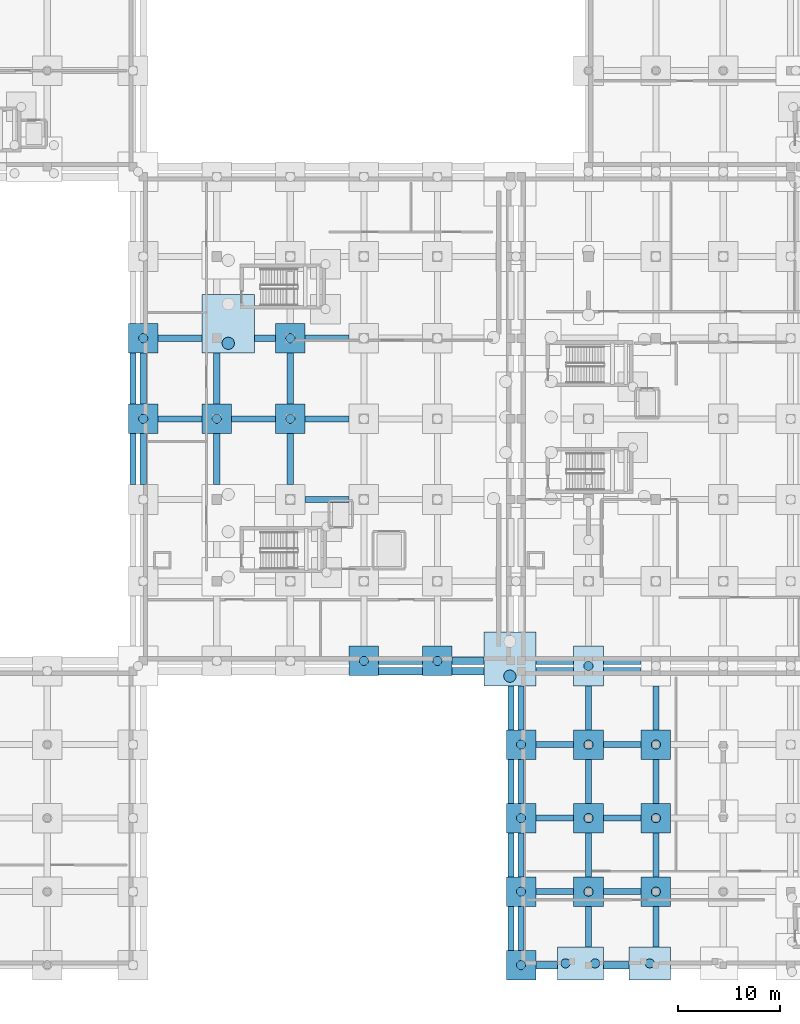
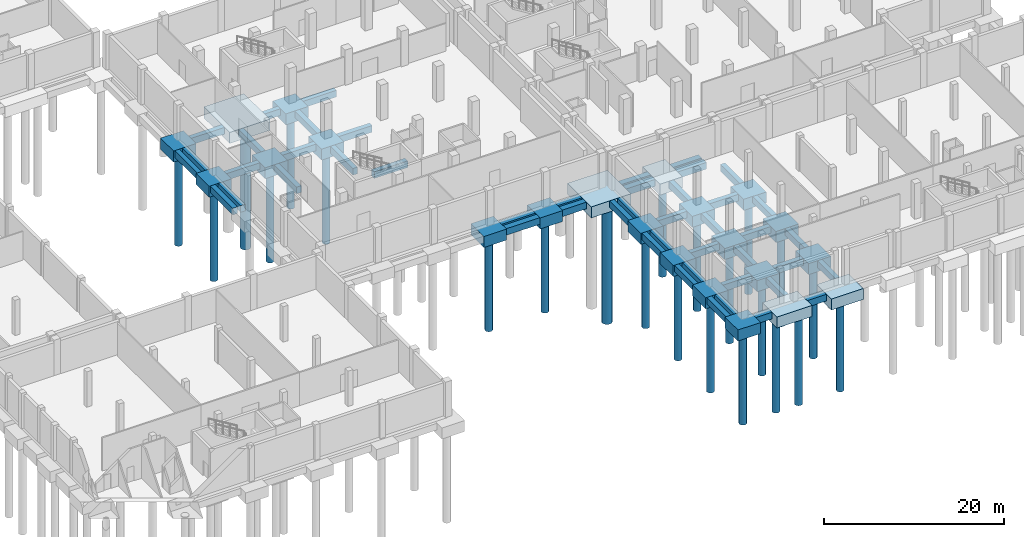
# One storey, part 3 of 29: 69 footings, 23 piles.
"""IFC4 building model written with IfcOpenShell, lengths in metres."""

from ifc_helpers import new_model, si_unit, direction, frame, origin, origin_2d, place, context, subcontext, project, spatial, polyline, rectangle, circle, outline, extrude, material, material_profile, profile_set, type_object, element, save


model = new_model("IFC4")

# Units and contexts
model_context = context("Model", 3, precision=1e-05, world=origin(), true_north=direction((0.0, 1.0)))
body_context = subcontext(model_context, "Body", "Model", "MODEL_VIEW")
ifc_project = project(units=[si_unit("LENGTHUNIT", "METRE"), si_unit("AREAUNIT", "SQUARE_METRE"), si_unit("VOLUMEUNIT", "CUBIC_METRE"), si_unit("PLANEANGLEUNIT", "RADIAN"), si_unit("MASSUNIT", "GRAM", prefix="KILO")], contexts=[model_context])

# Site, building, storey
site_placement = place(None, origin())
site = spatial("IfcSite", under=ifc_project, at=site_placement, CompositionType="ELEMENT")
building_placement = place(site_placement, origin())
building = spatial("IfcBuilding", under=site, at=building_placement, Name="Kelarvand Opera House", CompositionType="ELEMENT")
storey_placement = place(building_placement, frame((0.0, 0.0, -9.60009765625)))
storey = spatial("IfcBuildingStorey", under=building, at=storey_placement, Name="B2", CompositionType="ELEMENT", Elevation=-9.60009765625)

# Piles
ifc_material = material(Name="Concrete C40/50", Category="concrete")
ifc_material_profile_1 = material_profile(ifc_material, circle(Radius=0.60009765625, at=origin_2d()), Name="BP 1200", Category="concrete")
ifc_profile_set_1 = profile_set([ifc_material_profile_1], Name="Concrete C40/50")
pile_type_1 = type_object("IfcPileType", Name="Bored Pile 1200 Concrete C40/50", PredefinedType="BORED", material=ifc_profile_set_1)
for number, where, z_axis, x_axis, name in (
    (1, (87.89990234375, 37.300048828125, -1.7998046875), (0.0, 0.0, -1.0), (1.0, 0.0, 0.0), "V1 Bored Pile 97"),
    (2, (60.324951171875, 69.89990234375, -1.7998046875), (0.0, 0.0, -1.0), (1.0, 0.0, 0.0), "V2 Bored Pile 184"),
):
    element("IfcPile", number, at=place(storey_placement, frame(where, z_axis=z_axis, x_axis=x_axis)), inside=storey, type_object=pile_type_1, Name=name, PredefinedType="BORED", context=body_context, shape_type="SweptSolid", body=[
        extrude(circle(Radius=0.60009765625, at=origin_2d()), origin(), (0.0, 0.0, 1.0), 15.60009765625),
    ])
ifc_material_profile_2 = material_profile(ifc_material, circle(Radius=0.449951171875, at=origin_2d()), Name="BP 900", Category="concrete")
ifc_profile_set_2 = profile_set([ifc_material_profile_2], Name="Concrete C40/50")
pile_type_2 = type_object("IfcPileType", Name="Bored Pile 900 Concrete C40/50", PredefinedType="BORED", material=ifc_profile_set_2)
for number, where, z_axis, x_axis, name in (
    (3, (89.0, 9.0, -1.7998046875), (0.0, 0.0, -1.0), (1.0, 0.0, 0.0), "V6 Bored Pile 7"),
    (4, (93.35009765625, 9.175048828125, -1.7998046875), (0.0, 0.0, -1.0), (1.0, 0.0, 0.0), "V6 Bored Pile 8"),
    (5, (96.25, 9.175048828125, -1.7998046875), (0.0, 0.0, -1.0), (1.0, 0.0, 0.0), "V6 Bored Pile 9"),
    (6, (101.60009765625, 9.175048828125, -1.7998046875), (0.0, 0.0, -1.0), (1.0, 0.0, 0.0), "V6 Bored Pile 10"),
    (7, (89.0, 16.199951171875, -1.7998046875), (0.0, 0.0, -1.0), (1.0, 0.0, 0.0), "V6 Bored Pile 39"),
    (8, (95.60009765625, 16.199951171875, -1.7998046875), (0.0, 0.0, -1.0), (1.0, 0.0, 0.0), "V6 Bored Pile 40"),
    (9, (102.199951171875, 16.199951171875, -1.7998046875), (0.0, 0.0, -1.0), (1.0, 0.0, 0.0), "V6 Bored Pile 41"),
    (10, (89.0, 23.39990234375, -1.7998046875), (0.0, 0.0, -1.0), (1.0, 0.0, 0.0), "V6 Bored Pile 57"),
    (11, (95.60009765625, 23.39990234375, -1.7998046875), (0.0, 0.0, -1.0), (1.0, 0.0, 0.0), "V6 Bored Pile 58"),
    (12, (102.199951171875, 23.39990234375, -1.7998046875), (0.0, 0.0, -1.0), (1.0, 0.0, 0.0), "V6 Bored Pile 59"),
    (13, (89.0, 30.60009765625, -1.7998046875), (0.0, 0.0, -1.0), (1.0, 0.0, 0.0), "V6 Bored Pile 78"),
    (14, (95.60009765625, 30.60009765625, -1.7998046875), (0.0, 0.0, -1.0), (1.0, 0.0, 0.0), "V6 Bored Pile 79"),
    (15, (102.199951171875, 30.60009765625, -1.7998046875), (0.0, 0.0, -1.0), (1.0, 0.0, 0.0), "V6 Bored Pile 80"),
    (16, (95.60009765625, 38.300048828125, -1.7998046875), (0.0, 0.0, -1.0), (1.0, 0.0, 0.0), "V1 Bored Pile 99"),
    (17, (73.60009765625, 38.800048828125, -1.7998046875), (0.0, 0.0, -1.0), (1.0, 0.0, 0.0), "V2 Bored Pile 113"),
    (18, (80.800048828125, 38.800048828125, -1.7998046875), (0.0, 0.0, -1.0), (1.0, 0.0, 0.0), "V2 Bored Pile 114"),
    (19, (52.0, 62.5, -1.7998046875), (0.0, 0.0, -1.0), (1.0, 0.0, 0.0), "V2 Bored Pile 164"),
    (20, (59.199951171875, 62.5, -1.7998046875), (0.0, 0.0, -1.0), (1.0, 0.0, 0.0), "V2 Bored Pile 165"),
    (21, (66.39990234375, 62.5, -1.7998046875), (0.0, 0.0, -1.0), (1.0, 0.0, 0.0), "V2 Bored Pile 166"),
    (22, (52.0, 70.39990234375, -1.7998046875), (0.0, 0.0, -1.0), (1.0, 0.0, 0.0), "V2 Bored Pile 183"),
    (23, (66.39990234375, 70.39990234375, -1.7998046875), (0.0, 0.0, -1.0), (1.0, 0.0, 0.0), "V2 Bored Pile 186"),
):
    element("IfcPile", number, at=place(storey_placement, frame(where, z_axis=z_axis, x_axis=x_axis)), inside=storey, type_object=pile_type_2, Name=name, PredefinedType="BORED", context=body_context, shape_type="SweptSolid", body=[
        extrude(circle(Radius=0.449951171875, at=origin_2d()), origin(), (0.0, 0.0, 1.0), 12.60009765625),
    ])

# Footings
footing_type_1 = type_object("IfcFootingType", Name="Ground Tie Beam 600x900 Concrete C40/50", PredefinedType="FOOTING_BEAM", material=ifc_material)
footing_1_placement = place(storey_placement, frame((0.0, 0.0, -1.2998046875)))
element("IfcFooting", 24, at=footing_1_placement, inside=storey, type_object=footing_type_1, Name="Ground Beam 23", PredefinedType="FOOTING_BEAM", context=body_context, shape_type="SweptSolid", body=[
    extrude(outline(polyline([(90.449951171875, 15.89990234375), (94.14990234375, 15.89990234375), (94.14990234375, 16.5), (90.449951171875, 16.5), (90.449951171875, 15.89990234375)])), origin(), (0.0, 0.0, 1.0), 0.89990234375),
])
footing_2_placement = place(storey_placement, frame((0.0, 0.0, -1.2998046875)))
element("IfcFooting", 25, at=footing_2_placement, inside=storey, type_object=footing_type_1, Name="Ground Beam 24", PredefinedType="FOOTING_BEAM", context=body_context, shape_type="SweptSolid", body=[
    extrude(outline(polyline([(97.050048828125, 15.89990234375), (100.75, 15.89990234375), (100.75, 16.5), (97.050048828125, 16.5), (97.050048828125, 15.89990234375)])), origin(), (0.0, 0.0, 1.0), 0.89990234375),
])
footing_3_placement = place(storey_placement, frame((0.0, 0.0, -1.2998046875)))
element("IfcFooting", 26, at=footing_3_placement, inside=storey, type_object=footing_type_1, Name="Ground Beam 40", PredefinedType="FOOTING_BEAM", context=body_context, shape_type="SweptSolid", body=[
    extrude(outline(polyline([(90.449951171875, 23.10009765625), (94.14990234375, 23.10009765625), (94.14990234375, 23.699951171875), (90.449951171875, 23.699951171875), (90.449951171875, 23.10009765625)])), origin(), (0.0, 0.0, 1.0), 0.89990234375),
])
footing_4_placement = place(storey_placement, frame((0.0, 0.0, -1.2998046875)))
element("IfcFooting", 27, at=footing_4_placement, inside=storey, type_object=footing_type_1, Name="Ground Beam 41", PredefinedType="FOOTING_BEAM", context=body_context, shape_type="SweptSolid", body=[
    extrude(outline(polyline([(97.050048828125, 23.10009765625), (100.75, 23.10009765625), (100.75, 23.699951171875), (97.050048828125, 23.699951171875), (97.050048828125, 23.10009765625)])), origin(), (0.0, 0.0, 1.0), 0.89990234375),
])
footing_5_placement = place(storey_placement, frame((0.0, 0.0, -1.2998046875)))
element("IfcFooting", 28, at=footing_5_placement, inside=storey, type_object=footing_type_1, Name="Ground Beam 57", PredefinedType="FOOTING_BEAM", context=body_context, shape_type="SweptSolid", body=[
    extrude(outline(polyline([(90.449951171875, 30.300048828125), (94.14990234375, 30.300048828125), (94.14990234375, 30.89990234375), (90.449951171875, 30.89990234375), (90.449951171875, 30.300048828125)])), origin(), (0.0, 0.0, 1.0), 0.89990234375),
])
footing_6_placement = place(storey_placement, frame((0.0, 0.0, -1.2998046875)))
element("IfcFooting", 29, at=footing_6_placement, inside=storey, type_object=footing_type_1, Name="Ground Beam 58", PredefinedType="FOOTING_BEAM", context=body_context, shape_type="SweptSolid", body=[
    extrude(outline(polyline([(97.050048828125, 30.300048828125), (100.75, 30.300048828125), (100.75, 30.89990234375), (97.050048828125, 30.89990234375), (97.050048828125, 30.300048828125)])), origin(), (0.0, 0.0, 1.0), 0.89990234375),
])
footing_7_placement = place(storey_placement, frame((0.0, 0.0, -1.2998046875)))
element("IfcFooting", 30, at=footing_7_placement, inside=storey, type_object=footing_type_1, Name="Ground Beam 131", PredefinedType="FOOTING_BEAM", context=body_context, shape_type="SweptSolid", body=[
    extrude(outline(polyline([(67.85009765625, 54.300048828125), (72.14990234375, 54.300048828125), (72.14990234375, 54.89990234375), (67.85009765625, 54.89990234375), (67.85009765625, 54.300048828125)])), origin(), (0.0, 0.0, 1.0), 0.89990234375),
])
footing_8_placement = place(storey_placement, frame((0.0, 0.0, -1.2998046875)))
element("IfcFooting", 31, at=footing_8_placement, inside=storey, type_object=footing_type_1, Name="Ground Beam 144", PredefinedType="FOOTING_BEAM", context=body_context, shape_type="SweptSolid", body=[
    extrude(outline(polyline([(53.449951171875, 62.199951171875), (57.75, 62.199951171875), (57.75, 62.800048828125), (53.449951171875, 62.800048828125), (53.449951171875, 62.199951171875)])), origin(), (0.0, 0.0, 1.0), 0.89990234375),
])
footing_9_placement = place(storey_placement, frame((0.0, 0.0, -1.2998046875)))
element("IfcFooting", 32, at=footing_9_placement, inside=storey, type_object=footing_type_1, Name="Ground Beam 145", PredefinedType="FOOTING_BEAM", context=body_context, shape_type="SweptSolid", body=[
    extrude(outline(polyline([(60.64990234375, 62.199951171875), (64.949951171875, 62.199951171875), (64.949951171875, 62.800048828125), (60.64990234375, 62.800048828125), (60.64990234375, 62.199951171875)])), origin(), (0.0, 0.0, 1.0), 0.89990234375),
])
footing_10_placement = place(storey_placement, frame((0.0, 0.0, -1.2998046875)))
element("IfcFooting", 33, at=footing_10_placement, inside=storey, type_object=footing_type_1, Name="Ground Beam 146", PredefinedType="FOOTING_BEAM", context=body_context, shape_type="SweptSolid", body=[
    extrude(outline(polyline([(67.85009765625, 62.199951171875), (72.14990234375, 62.199951171875), (72.14990234375, 62.800048828125), (67.85009765625, 62.800048828125), (67.85009765625, 62.199951171875)])), origin(), (0.0, 0.0, 1.0), 0.89990234375),
])
footing_11_placement = place(storey_placement, frame((0.0, 0.0, -1.2998046875)))
element("IfcFooting", 34, at=footing_11_placement, inside=storey, type_object=footing_type_1, Name="Ground Beam 158", PredefinedType="FOOTING_BEAM", context=body_context, shape_type="SweptSolid", body=[
    extrude(outline(polyline([(53.449951171875, 70.10009765625), (57.75, 70.10009765625), (57.75, 70.699951171875), (53.449951171875, 70.699951171875), (53.449951171875, 70.10009765625)])), origin(), (0.0, 0.0, 1.0), 0.89990234375),
])
footing_12_placement = place(storey_placement, frame((0.0, 0.0, -1.2998046875)))
element("IfcFooting", 35, at=footing_12_placement, inside=storey, type_object=footing_type_1, Name="Ground Beam 159", PredefinedType="FOOTING_BEAM", context=body_context, shape_type="SweptSolid", body=[
    extrude(outline(polyline([(62.89990234375, 70.10009765625), (64.949951171875, 70.10009765625), (64.949951171875, 70.699951171875), (62.89990234375, 70.699951171875), (62.89990234375, 70.10009765625)])), origin(), (0.0, 0.0, 1.0), 0.89990234375),
])
footing_13_placement = place(storey_placement, frame((0.0, 0.0, -1.2998046875)))
element("IfcFooting", 36, at=footing_13_placement, inside=storey, type_object=footing_type_1, Name="Ground Beam 160", PredefinedType="FOOTING_BEAM", context=body_context, shape_type="SweptSolid", body=[
    extrude(outline(polyline([(67.85009765625, 70.10009765625), (72.14990234375, 70.10009765625), (72.14990234375, 70.699951171875), (67.85009765625, 70.699951171875), (67.85009765625, 70.10009765625)])), origin(), (0.0, 0.0, 1.0), 0.89990234375),
])
footing_14_placement = place(storey_placement, frame((0.0, 0.0, -1.2998046875)))
element("IfcFooting", 37, at=footing_14_placement, inside=storey, type_object=footing_type_1, Name="Ground Beam 327", PredefinedType="FOOTING_BEAM", context=body_context, shape_type="SweptSolid", body=[
    extrude(outline(polyline([(50.699951171875, 56.050048828125), (51.300048828125, 56.050048828125), (51.300048828125, 61.050048828125), (50.699951171875, 61.050048828125), (50.699951171875, 56.050048828125)])), origin(), (0.0, 0.0, 1.0), 0.89990234375),
])
footing_15_placement = place(storey_placement, frame((0.0, 0.0, -1.2998046875)))
element("IfcFooting", 38, at=footing_15_placement, inside=storey, type_object=footing_type_1, Name="Ground Beam 328", PredefinedType="FOOTING_BEAM", context=body_context, shape_type="SweptSolid", body=[
    extrude(outline(polyline([(50.699951171875, 63.949951171875), (51.300048828125, 63.949951171875), (51.300048828125, 68.949951171875), (50.699951171875, 68.949951171875), (50.699951171875, 63.949951171875)])), origin(), (0.0, 0.0, 1.0), 0.89990234375),
])
footing_16_placement = place(storey_placement, frame((0.0, 0.0, -1.2998046875)))
element("IfcFooting", 39, at=footing_16_placement, inside=storey, type_object=footing_type_1, Name="Ground Beam 341", PredefinedType="FOOTING_BEAM", context=body_context, shape_type="SweptSolid", body=[
    extrude(outline(polyline([(51.699951171875, 56.050048828125), (52.300048828125, 56.050048828125), (52.300048828125, 61.050048828125), (51.699951171875, 61.050048828125), (51.699951171875, 56.050048828125)])), origin(), (0.0, 0.0, 1.0), 0.89990234375),
])
footing_17_placement = place(storey_placement, frame((0.0, 0.0, -1.2998046875)))
element("IfcFooting", 40, at=footing_17_placement, inside=storey, type_object=footing_type_1, Name="Ground Beam 342", PredefinedType="FOOTING_BEAM", context=body_context, shape_type="SweptSolid", body=[
    extrude(outline(polyline([(51.699951171875, 63.949951171875), (52.300048828125, 63.949951171875), (52.300048828125, 68.949951171875), (51.699951171875, 68.949951171875), (51.699951171875, 63.949951171875)])), origin(), (0.0, 0.0, 1.0), 0.89990234375),
])
footing_18_placement = place(storey_placement, frame((0.0, 0.0, -1.2998046875)))
element("IfcFooting", 41, at=footing_18_placement, inside=storey, type_object=footing_type_1, Name="Ground Beam 351", PredefinedType="FOOTING_BEAM", context=body_context, shape_type="SweptSolid", body=[
    extrude(outline(polyline([(58.89990234375, 56.050048828125), (59.5, 56.050048828125), (59.5, 61.050048828125), (58.89990234375, 61.050048828125), (58.89990234375, 56.050048828125)])), origin(), (0.0, 0.0, 1.0), 0.89990234375),
])
footing_19_placement = place(storey_placement, frame((0.0, 0.0, -1.2998046875)))
element("IfcFooting", 42, at=footing_19_placement, inside=storey, type_object=footing_type_1, Name="Ground Beam 352", PredefinedType="FOOTING_BEAM", context=body_context, shape_type="SweptSolid", body=[
    extrude(outline(polyline([(58.89990234375, 63.949951171875), (59.5, 63.949951171875), (59.5, 68.949951171875), (58.89990234375, 68.949951171875), (58.89990234375, 63.949951171875)])), origin(), (0.0, 0.0, 1.0), 0.89990234375),
])
footing_20_placement = place(storey_placement, frame((0.0, 0.0, -1.2998046875)))
element("IfcFooting", 43, at=footing_20_placement, inside=storey, type_object=footing_type_1, Name="Ground Beam 357", PredefinedType="FOOTING_BEAM", context=body_context, shape_type="SweptSolid", body=[
    extrude(outline(polyline([(66.10009765625, 56.050048828125), (66.699951171875, 56.050048828125), (66.699951171875, 61.050048828125), (66.10009765625, 61.050048828125), (66.10009765625, 56.050048828125)])), origin(), (0.0, 0.0, 1.0), 0.89990234375),
])
footing_21_placement = place(storey_placement, frame((0.0, 0.0, -1.2998046875)))
element("IfcFooting", 44, at=footing_21_placement, inside=storey, type_object=footing_type_1, Name="Ground Beam 358", PredefinedType="FOOTING_BEAM", context=body_context, shape_type="SweptSolid", body=[
    extrude(outline(polyline([(66.10009765625, 63.949951171875), (66.699951171875, 63.949951171875), (66.699951171875, 68.949951171875), (66.10009765625, 68.949951171875), (66.10009765625, 63.949951171875)])), origin(), (0.0, 0.0, 1.0), 0.89990234375),
])
footing_22_placement = place(storey_placement, frame((0.0, 0.0, -1.2998046875)))
element("IfcFooting", 45, at=footing_22_placement, inside=storey, type_object=footing_type_1, Name="Ground Beam 373", PredefinedType="FOOTING_BEAM", context=body_context, shape_type="SweptSolid", body=[
    extrude(outline(polyline([(87.699951171875, 10.449951171875), (88.300048828125, 10.449951171875), (88.300048828125, 14.75), (87.699951171875, 14.75), (87.699951171875, 10.449951171875)])), origin(), (0.0, 0.0, 1.0), 0.89990234375),
])
footing_23_placement = place(storey_placement, frame((0.0, 0.0, -1.2998046875)))
element("IfcFooting", 46, at=footing_23_placement, inside=storey, type_object=footing_type_1, Name="Ground Beam 374", PredefinedType="FOOTING_BEAM", context=body_context, shape_type="SweptSolid", body=[
    extrude(outline(polyline([(87.699951171875, 17.64990234375), (88.300048828125, 17.64990234375), (88.300048828125, 21.949951171875), (87.699951171875, 21.949951171875), (87.699951171875, 17.64990234375)])), origin(), (0.0, 0.0, 1.0), 0.89990234375),
])
footing_24_placement = place(storey_placement, frame((0.0, 0.0, -1.2998046875)))
element("IfcFooting", 47, at=footing_24_placement, inside=storey, type_object=footing_type_1, Name="Ground Beam 375", PredefinedType="FOOTING_BEAM", context=body_context, shape_type="SweptSolid", body=[
    extrude(outline(polyline([(87.699951171875, 24.85009765625), (88.300048828125, 24.85009765625), (88.300048828125, 29.14990234375), (87.699951171875, 29.14990234375), (87.699951171875, 24.85009765625)])), origin(), (0.0, 0.0, 1.0), 0.89990234375),
])
footing_25_placement = place(storey_placement, frame((0.0, 0.0, -1.2998046875)))
element("IfcFooting", 48, at=footing_25_placement, inside=storey, type_object=footing_type_1, Name="Ground Beam 376", PredefinedType="FOOTING_BEAM", context=body_context, shape_type="SweptSolid", body=[
    extrude(outline(polyline([(87.699951171875, 32.050048828125), (88.300048828125, 32.050048828125), (88.300048828125, 36.35009765625), (87.699951171875, 36.35009765625), (87.699951171875, 32.050048828125)])), origin(), (0.0, 0.0, 1.0), 0.89990234375),
])
footing_26_placement = place(storey_placement, frame((0.0, 0.0, -1.2998046875)))
element("IfcFooting", 49, at=footing_26_placement, inside=storey, type_object=footing_type_1, Name="Ground Beam 383", PredefinedType="FOOTING_BEAM", context=body_context, shape_type="SweptSolid", body=[
    extrude(outline(polyline([(88.699951171875, 10.449951171875), (89.300048828125, 10.449951171875), (89.300048828125, 14.75), (88.699951171875, 14.75), (88.699951171875, 10.449951171875)])), origin(), (0.0, 0.0, 1.0), 0.89990234375),
])
footing_27_placement = place(storey_placement, frame((0.0, 0.0, -1.2998046875)))
element("IfcFooting", 50, at=footing_27_placement, inside=storey, type_object=footing_type_1, Name="Ground Beam 384", PredefinedType="FOOTING_BEAM", context=body_context, shape_type="SweptSolid", body=[
    extrude(outline(polyline([(88.699951171875, 17.64990234375), (89.300048828125, 17.64990234375), (89.300048828125, 21.949951171875), (88.699951171875, 21.949951171875), (88.699951171875, 17.64990234375)])), origin(), (0.0, 0.0, 1.0), 0.89990234375),
])
footing_28_placement = place(storey_placement, frame((0.0, 0.0, -1.2998046875)))
element("IfcFooting", 51, at=footing_28_placement, inside=storey, type_object=footing_type_1, Name="Ground Beam 385", PredefinedType="FOOTING_BEAM", context=body_context, shape_type="SweptSolid", body=[
    extrude(outline(polyline([(88.699951171875, 24.85009765625), (89.300048828125, 24.85009765625), (89.300048828125, 29.14990234375), (88.699951171875, 29.14990234375), (88.699951171875, 24.85009765625)])), origin(), (0.0, 0.0, 1.0), 0.89990234375),
])
footing_29_placement = place(storey_placement, frame((0.0, 0.0, -1.2998046875)))
element("IfcFooting", 52, at=footing_29_placement, inside=storey, type_object=footing_type_1, Name="Ground Beam 386", PredefinedType="FOOTING_BEAM", context=body_context, shape_type="SweptSolid", body=[
    extrude(outline(polyline([(88.699951171875, 32.050048828125), (89.300048828125, 32.050048828125), (89.300048828125, 36.35009765625), (88.699951171875, 36.35009765625), (88.699951171875, 32.050048828125)])), origin(), (0.0, 0.0, 1.0), 0.89990234375),
])
footing_30_placement = place(storey_placement, frame((0.0, 0.0, -1.2998046875)))
element("IfcFooting", 53, at=footing_30_placement, inside=storey, type_object=footing_type_1, Name="Ground Beam 393", PredefinedType="FOOTING_BEAM", context=body_context, shape_type="SweptSolid", body=[
    extrude(outline(polyline([(95.300048828125, 10.800048828125), (95.89990234375, 10.800048828125), (95.89990234375, 14.75), (95.300048828125, 14.75), (95.300048828125, 10.800048828125)])), origin(), (0.0, 0.0, 1.0), 0.89990234375),
])
footing_31_placement = place(storey_placement, frame((0.0, 0.0, -1.2998046875)))
element("IfcFooting", 54, at=footing_31_placement, inside=storey, type_object=footing_type_1, Name="Ground Beam 394", PredefinedType="FOOTING_BEAM", context=body_context, shape_type="SweptSolid", body=[
    extrude(outline(polyline([(95.300048828125, 17.64990234375), (95.89990234375, 17.64990234375), (95.89990234375, 21.949951171875), (95.300048828125, 21.949951171875), (95.300048828125, 17.64990234375)])), origin(), (0.0, 0.0, 1.0), 0.89990234375),
])
footing_32_placement = place(storey_placement, frame((0.0, 0.0, -1.2998046875)))
element("IfcFooting", 55, at=footing_32_placement, inside=storey, type_object=footing_type_1, Name="Ground Beam 395", PredefinedType="FOOTING_BEAM", context=body_context, shape_type="SweptSolid", body=[
    extrude(outline(polyline([(95.300048828125, 24.85009765625), (95.89990234375, 24.85009765625), (95.89990234375, 29.14990234375), (95.300048828125, 29.14990234375), (95.300048828125, 24.85009765625)])), origin(), (0.0, 0.0, 1.0), 0.89990234375),
])
footing_33_placement = place(storey_placement, frame((0.0, 0.0, -1.2998046875)))
element("IfcFooting", 56, at=footing_33_placement, inside=storey, type_object=footing_type_1, Name="Ground Beam 396", PredefinedType="FOOTING_BEAM", context=body_context, shape_type="SweptSolid", body=[
    extrude(outline(polyline([(95.300048828125, 32.050048828125), (95.89990234375, 32.050048828125), (95.89990234375, 36.35009765625), (95.300048828125, 36.35009765625), (95.300048828125, 32.050048828125)])), origin(), (0.0, 0.0, 1.0), 0.89990234375),
])
footing_34_placement = place(storey_placement, frame((0.0, 0.0, -1.2998046875)))
element("IfcFooting", 57, at=footing_34_placement, inside=storey, type_object=footing_type_1, Name="Ground Beam 405", PredefinedType="FOOTING_BEAM", context=body_context, shape_type="SweptSolid", body=[
    extrude(outline(polyline([(101.89990234375, 10.800048828125), (102.5, 10.800048828125), (102.5, 14.75), (101.89990234375, 14.75), (101.89990234375, 10.800048828125)])), origin(), (0.0, 0.0, 1.0), 0.89990234375),
])
footing_35_placement = place(storey_placement, frame((0.0, 0.0, -1.2998046875)))
element("IfcFooting", 58, at=footing_35_placement, inside=storey, type_object=footing_type_1, Name="Ground Beam 406", PredefinedType="FOOTING_BEAM", context=body_context, shape_type="SweptSolid", body=[
    extrude(outline(polyline([(101.89990234375, 17.64990234375), (102.5, 17.64990234375), (102.5, 21.949951171875), (101.89990234375, 21.949951171875), (101.89990234375, 17.64990234375)])), origin(), (0.0, 0.0, 1.0), 0.89990234375),
])
footing_36_placement = place(storey_placement, frame((0.0, 0.0, -1.2998046875)))
element("IfcFooting", 59, at=footing_36_placement, inside=storey, type_object=footing_type_1, Name="Ground Beam 407", PredefinedType="FOOTING_BEAM", context=body_context, shape_type="SweptSolid", body=[
    extrude(outline(polyline([(101.89990234375, 24.85009765625), (102.5, 24.85009765625), (102.5, 29.14990234375), (101.89990234375, 29.14990234375), (101.89990234375, 24.85009765625)])), origin(), (0.0, 0.0, 1.0), 0.89990234375),
])
footing_37_placement = place(storey_placement, frame((0.0, 0.0, -1.2998046875)))
element("IfcFooting", 60, at=footing_37_placement, inside=storey, type_object=footing_type_1, Name="Ground Beam 408", PredefinedType="FOOTING_BEAM", context=body_context, shape_type="SweptSolid", body=[
    extrude(outline(polyline([(101.89990234375, 32.050048828125), (102.5, 32.050048828125), (102.5, 36.35009765625), (101.89990234375, 36.35009765625), (101.89990234375, 32.050048828125)])), origin(), (0.0, 0.0, 1.0), 0.89990234375),
])
footing_type_2 = type_object("IfcFootingType", Name="Perimeter Strip Footing 750x900 Concrete C40/50", PredefinedType="STRIP_FOOTING", material=ifc_material)
footing_38_placement = place(storey_placement, frame((0.0, 0.0, -1.2998046875)))
element("IfcFooting", 61, at=footing_38_placement, inside=storey, type_object=footing_type_2, Name="Ground Beam 6", PredefinedType="STRIP_FOOTING", context=body_context, shape_type="SweptSolid", body=[
    extrude(outline(polyline([(90.449951171875, 8.625), (92.550048828125, 8.625), (92.550048828125, 9.375), (90.449951171875, 9.375), (90.449951171875, 8.625)])), origin(), (0.0, 0.0, 1.0), 0.89990234375),
])
footing_39_placement = place(storey_placement, frame((0.0, 0.0, -1.2998046875)))
element("IfcFooting", 62, at=footing_39_placement, inside=storey, type_object=footing_type_2, Name="Ground Beam 7", PredefinedType="STRIP_FOOTING", context=body_context, shape_type="SweptSolid", body=[
    extrude(outline(polyline([(97.050048828125, 8.625), (99.550048828125, 8.625), (99.550048828125, 9.375), (97.050048828125, 9.375), (97.050048828125, 8.625)])), origin(), (0.0, 0.0, 1.0), 0.89990234375),
])
footing_40_placement = place(storey_placement, frame((0.0, 0.0, -1.2998046875)))
element("IfcFooting", 63, at=footing_40_placement, inside=storey, type_object=footing_type_2, Name="Ground Beam 77", PredefinedType="STRIP_FOOTING", context=body_context, shape_type="SweptSolid", body=[
    extrude(outline(polyline([(75.050048828125, 37.425048828125), (79.35009765625, 37.425048828125), (79.35009765625, 38.175048828125), (75.050048828125, 38.175048828125), (75.050048828125, 37.425048828125)])), origin(), (0.0, 0.0, 1.0), 0.89990234375),
])
footing_41_placement = place(storey_placement, frame((0.0, 0.0, -1.2998046875)))
element("IfcFooting", 64, at=footing_41_placement, inside=storey, type_object=footing_type_2, Name="Ground Beam 78", PredefinedType="STRIP_FOOTING", context=body_context, shape_type="SweptSolid", body=[
    extrude(outline(polyline([(82.25, 37.425048828125), (85.35009765625, 37.425048828125), (85.35009765625, 38.175048828125), (82.25, 38.175048828125), (82.25, 37.425048828125)])), origin(), (0.0, 0.0, 1.0), 0.89990234375),
])
footing_42_placement = place(storey_placement, frame((0.0, 0.0, -1.2998046875)))
element("IfcFooting", 65, at=footing_42_placement, inside=storey, type_object=footing_type_2, Name="Ground Beam 79", PredefinedType="STRIP_FOOTING", context=body_context, shape_type="SweptSolid", body=[
    extrude(outline(polyline([(90.449951171875, 37.425048828125), (94.14990234375, 37.425048828125), (94.14990234375, 38.175048828125), (90.449951171875, 38.175048828125), (90.449951171875, 37.425048828125)])), origin(), (0.0, 0.0, 1.0), 0.89990234375),
])
footing_43_placement = place(storey_placement, frame((0.0, 0.0, -1.2998046875)))
element("IfcFooting", 66, at=footing_43_placement, inside=storey, type_object=footing_type_2, Name="Ground Beam 80", PredefinedType="STRIP_FOOTING", context=body_context, shape_type="SweptSolid", body=[
    extrude(outline(polyline([(97.050048828125, 37.425048828125), (100.75, 37.425048828125), (100.75, 38.175048828125), (97.050048828125, 38.175048828125), (97.050048828125, 37.425048828125)])), origin(), (0.0, 0.0, 1.0), 0.89990234375),
])
footing_44_placement = place(storey_placement, frame((0.0, 0.0, -1.2998046875)))
element("IfcFooting", 67, at=footing_44_placement, inside=storey, type_object=footing_type_2, Name="Ground Beam 99", PredefinedType="STRIP_FOOTING", context=body_context, shape_type="SweptSolid", body=[
    extrude(outline(polyline([(75.050048828125, 38.425048828125), (79.35009765625, 38.425048828125), (79.35009765625, 39.175048828125), (75.050048828125, 39.175048828125), (75.050048828125, 38.425048828125)])), origin(), (0.0, 0.0, 1.0), 0.89990234375),
])
footing_45_placement = place(storey_placement, frame((0.0, 0.0, -1.2998046875)))
element("IfcFooting", 68, at=footing_45_placement, inside=storey, type_object=footing_type_2, Name="Ground Beam 100", PredefinedType="STRIP_FOOTING", context=body_context, shape_type="SweptSolid", body=[
    extrude(outline(polyline([(82.25, 38.425048828125), (85.35009765625, 38.425048828125), (85.35009765625, 39.175048828125), (82.25, 39.175048828125), (82.25, 38.425048828125)])), origin(), (0.0, 0.0, 1.0), 0.89990234375),
])
footing_46_placement = place(storey_placement, frame((0.0, 0.0, -1.2998046875)))
element("IfcFooting", 69, at=footing_46_placement, inside=storey, type_object=footing_type_2, Name="Ground Beam 101", PredefinedType="STRIP_FOOTING", context=body_context, shape_type="SweptSolid", body=[
    extrude(outline(polyline([(90.449951171875, 38.425048828125), (94.14990234375, 38.425048828125), (94.14990234375, 39.175048828125), (90.449951171875, 39.175048828125), (90.449951171875, 38.425048828125)])), origin(), (0.0, 0.0, 1.0), 0.89990234375),
])
footing_47_placement = place(storey_placement, frame((0.0, 0.0, -1.2998046875)))
element("IfcFooting", 70, at=footing_47_placement, inside=storey, type_object=footing_type_2, Name="Ground Beam 102", PredefinedType="STRIP_FOOTING", context=body_context, shape_type="SweptSolid", body=[
    extrude(outline(polyline([(97.050048828125, 38.425048828125), (100.75, 38.425048828125), (100.75, 39.175048828125), (97.050048828125, 39.175048828125), (97.050048828125, 38.425048828125)])), origin(), (0.0, 0.0, 1.0), 0.89990234375),
])
footing_type_3 = type_object("IfcFootingType", Name="Pile Cap 2900x2900x1500 PC-01", PredefinedType="PILE_CAP", material=ifc_material)
for number, where, z_axis, x_axis, name in (
    (71, (89.0, 9.0, -1.89990234375), (0.0, 0.0, 1.0), (1.0, 0.0, 0.0), "V6 Pile Cap PC-01 (7)"),
    (72, (89.0, 16.199951171875, -1.89990234375), (0.0, 0.0, 1.0), (1.0, 0.0, 0.0), "V6 Pile Cap PC-01 (33)"),
    (73, (95.60009765625, 16.199951171875, -1.89990234375), (0.0, 0.0, 1.0), (1.0, 0.0, 0.0), "V6 Pile Cap PC-01 (34)"),
    (74, (102.199951171875, 16.199951171875, -1.89990234375), (0.0, 0.0, 1.0), (1.0, 0.0, 0.0), "V6 Pile Cap PC-01 (35)"),
    (75, (89.0, 23.39990234375, -1.89990234375), (0.0, 0.0, 1.0), (1.0, 0.0, 0.0), "V6 Pile Cap PC-01 (51)"),
    (76, (95.60009765625, 23.39990234375, -1.89990234375), (0.0, 0.0, 1.0), (1.0, 0.0, 0.0), "V6 Pile Cap PC-01 (52)"),
    (77, (102.199951171875, 23.39990234375, -1.89990234375), (0.0, 0.0, 1.0), (1.0, 0.0, 0.0), "V6 Pile Cap PC-01 (53)"),
    (78, (89.0, 30.60009765625, -1.89990234375), (0.0, 0.0, 1.0), (1.0, 0.0, 0.0), "V6 Pile Cap PC-01 (72)"),
    (79, (95.60009765625, 30.60009765625, -1.89990234375), (0.0, 0.0, 1.0), (1.0, 0.0, 0.0), "V6 Pile Cap PC-01 (73)"),
    (80, (102.199951171875, 30.60009765625, -1.89990234375), (0.0, 0.0, 1.0), (1.0, 0.0, 0.0), "V6 Pile Cap PC-01 (74)"),
    (81, (73.60009765625, 38.800048828125, -1.89990234375), (0.0, 0.0, 1.0), (1.0, 0.0, 0.0), "V2 Pile Cap PC-01 (106)"),
    (82, (80.800048828125, 38.800048828125, -1.89990234375), (0.0, 0.0, 1.0), (1.0, 0.0, 0.0), "V2 Pile Cap PC-01 (107)"),
    (83, (52.0, 62.5, -1.89990234375), (0.0, 0.0, 1.0), (1.0, 0.0, 0.0), "V2 Pile Cap PC-01 (150)"),
    (84, (59.199951171875, 62.5, -1.89990234375), (0.0, 0.0, 1.0), (1.0, 0.0, 0.0), "V2 Pile Cap PC-01 (151)"),
    (85, (66.39990234375, 62.5, -1.89990234375), (0.0, 0.0, 1.0), (1.0, 0.0, 0.0), "V2 Pile Cap PC-01 (152)"),
    (86, (52.0, 70.39990234375, -1.89990234375), (0.0, 0.0, 1.0), (1.0, 0.0, 0.0), "V2 Pile Cap PC-01 (168)"),
    (87, (66.39990234375, 70.39990234375, -1.89990234375), (0.0, 0.0, 1.0), (1.0, 0.0, 0.0), "V2 Pile Cap PC-01 (170)"),
):
    element("IfcFooting", number, at=place(storey_placement, frame(where, z_axis=z_axis, x_axis=x_axis)), inside=storey, type_object=footing_type_3, Name=name, PredefinedType="PILE_CAP", context=body_context, shape_type="SweptSolid", body=[
        extrude(rectangle(XDim=2.89990234375, YDim=2.89990234375, at=origin_2d()), origin(), (0.0, 0.0, 1.0), 1.5),
    ])
footing_type_4 = type_object("IfcFootingType", Name="Pile Cap 2900x3900x1500 PC-10", PredefinedType="PILE_CAP", material=ifc_material)
footing_48_placement = place(storey_placement, frame((95.60009765625, 38.300048828125, -1.89990234375), z_axis=(0.0, 0.0, 1.0), x_axis=(1.0, 0.0, 0.0)))
element("IfcFooting", 88, at=footing_48_placement, inside=storey, type_object=footing_type_4, Name="V1 Pile Cap PC-10 (92)", PredefinedType="PILE_CAP", context=body_context, shape_type="SweptSolid", body=[
    extrude(rectangle(XDim=2.89990234375, YDim=3.89990234375, at=origin_2d()), origin(), (0.0, 0.0, 1.0), 1.5),
])
footing_type_5 = type_object("IfcFootingType", Name="Pile Cap 4100x3250x1500 PC-03", PredefinedType="PILE_CAP", material=ifc_material)
footing_49_placement = place(storey_placement, frame((101.60009765625, 9.175048828125, -1.89990234375), z_axis=(0.0, 0.0, 1.0), x_axis=(1.0, 0.0, 0.0)))
element("IfcFooting", 89, at=footing_49_placement, inside=storey, type_object=footing_type_5, Name="V6 Pile Cap PC-03 (9)", PredefinedType="PILE_CAP", context=body_context, shape_type="SweptSolid", body=[
    extrude(rectangle(XDim=4.10009765625, YDim=3.25, at=origin_2d()), origin(), (0.0, 0.0, 1.0), 1.5),
])
footing_type_6 = type_object("IfcFootingType", Name="Pile Cap 4500x3250x1500 PC-02", PredefinedType="PILE_CAP", material=ifc_material)
footing_50_placement = place(storey_placement, frame((94.800048828125, 9.175048828125, -1.89990234375), z_axis=(0.0, 0.0, 1.0), x_axis=(1.0, 0.0, 0.0)))
element("IfcFooting", 90, at=footing_50_placement, inside=storey, type_object=footing_type_6, Name="V6 Pile Cap PC-02 (8)", PredefinedType="PILE_CAP", context=body_context, shape_type="SweptSolid", body=[
    extrude(rectangle(XDim=4.5, YDim=3.25, at=origin_2d()), origin(), (0.0, 0.0, 1.0), 1.5),
])
footing_type_7 = type_object("IfcFootingType", Name="Pile Cap 5100x5300x1500 PC-12", PredefinedType="PILE_CAP", material=ifc_material)
footing_51_placement = place(storey_placement, frame((87.89990234375, 39.0, -1.89990234375), z_axis=(0.0, 0.0, 1.0), x_axis=(1.0, 0.0, 0.0)))
element("IfcFooting", 91, at=footing_51_placement, inside=storey, type_object=footing_type_7, Name="V1 Pile Cap PC-12 (91)", PredefinedType="PILE_CAP", context=body_context, shape_type="SweptSolid", body=[
    extrude(rectangle(XDim=5.10009765625, YDim=5.300048828125, at=origin_2d()), origin(), (0.0, 0.0, 1.0), 1.5),
])
footing_type_8 = type_object("IfcFootingType", Name="Pile Cap 5150x5750x1500 PC-22", PredefinedType="PILE_CAP", material=ifc_material)
footing_52_placement = place(storey_placement, frame((60.324951171875, 71.824951171875, -1.89990234375), z_axis=(0.0, 0.0, 1.0), x_axis=(1.0, 0.0, 0.0)))
element("IfcFooting", 92, at=footing_52_placement, inside=storey, type_object=footing_type_8, Name="V2 Pile Cap PC-22 (169)", PredefinedType="PILE_CAP", context=body_context, shape_type="SweptSolid", body=[
    extrude(rectangle(XDim=5.14990234375, YDim=5.75, at=origin_2d()), origin(), (0.0, 0.0, 1.0), 1.5),
])

save(model, "model.ifc")
